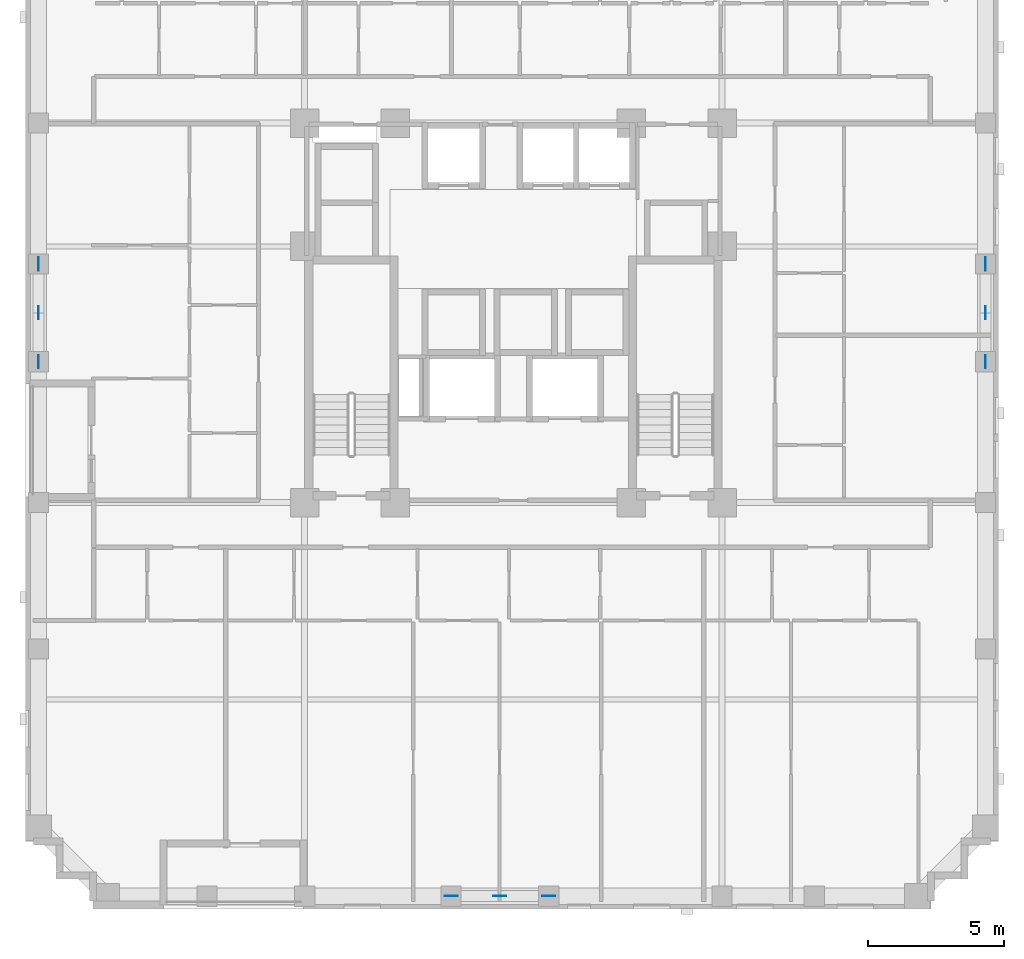
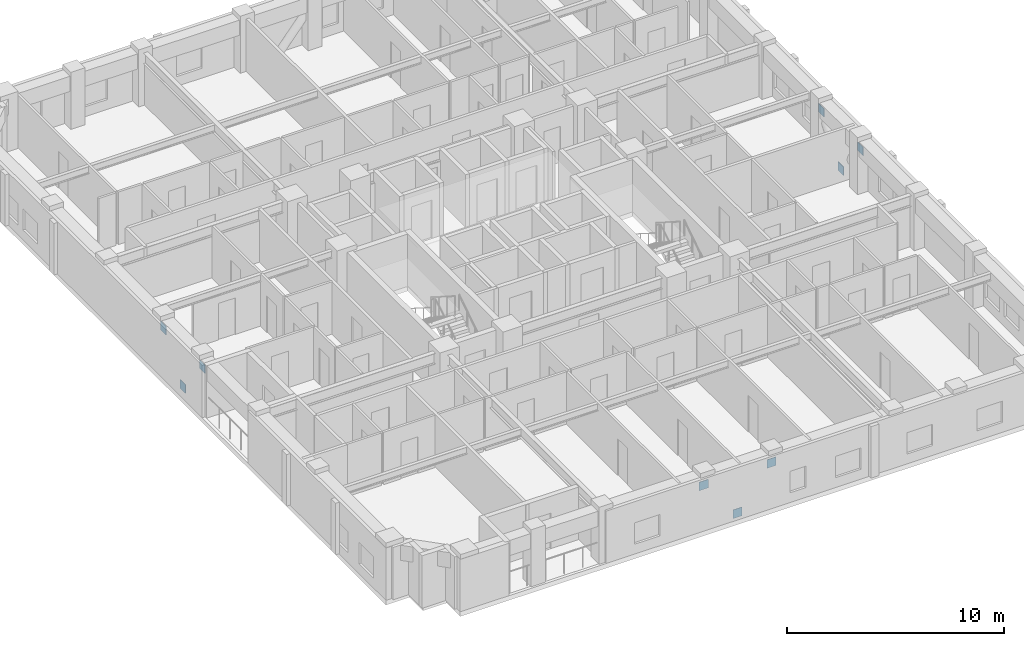
# One storey, part 9 of 12: 9 discrete accessories.
"""IFC4 building model written with IfcOpenShell, lengths in metres."""

from ifc_helpers import new_model, si_unit, derived_unit, direction, frame, origin, origin_2d, place, context, subcontext, project, spatial, rectangle, extrude, material, layer, layer_set, type_object, element, save


model = new_model("IFC4")

# Units and contexts
model_context = context("Model", 3, precision=1e-05, world=origin(), true_north=direction((0.0, 1.0)))
body_context = subcontext(model_context, "Body", "Model", "MODEL_VIEW")
ifc_project = project(units=[si_unit("LENGTHUNIT", "METRE"), si_unit("AREAUNIT", "SQUARE_METRE"), si_unit("VOLUMEUNIT", "CUBIC_METRE"), si_unit("PLANEANGLEUNIT", "RADIAN"), si_unit("MASSUNIT", "GRAM", prefix="KILO"), derived_unit("THERMALTRANSMITTANCEUNIT", [(si_unit("MASSUNIT", "GRAM", prefix="KILO"), 1), (si_unit("TIMEUNIT", "SECOND"), -3), (si_unit("THERMODYNAMICTEMPERATUREUNIT", "KELVIN"), -1)])], contexts=[model_context])

# Site, building, storey
site_placement = place(None, origin())
site = spatial("IfcSite", under=ifc_project, at=site_placement, CompositionType="ELEMENT")
building_placement = place(site_placement, origin())
building = spatial("IfcBuilding", under=site, at=building_placement, Name="Korrvale Station Residences", CompositionType="ELEMENT")
storey_placement = place(building_placement, frame((0.0, 0.0, 103.89990234375)))
storey = spatial("IfcBuildingStorey", under=building, at=storey_placement, Name="L29", CompositionType="ELEMENT", Elevation=103.89990234375)

# Discrete accessories
ifc_material = material(Name="Steel S355", Category="steel")
ifc_layer = layer(ifc_material, 0.02490234375, Name="Steel S355")
ifc_layer_set = layer_set([ifc_layer], Name="Steel S355")
discrete_accessory_type = type_object("IfcDiscreteAccessoryType", Name="ACC-GUSSET-25", PredefinedType="BRACKET", material=ifc_layer_set)
for number, where, z_axis, x_axis, name in (
    (1, (25.0, 0.47998046875, -0.219970703125), (0.0, 0.0, 1.0), (1.0, 0.0, 0.0), "L29 S Brace End Gusset Connection M"),
    (2, (23.199951171875, 0.47998046875, 1.97021484375), (0.0, 0.0, 1.0), (1.0, 0.0, 0.0), "L29 S Brace End Gusset Connection A"),
    (3, (26.800048828125, 0.47998046875, 1.97021484375), (0.0, 0.0, 1.0), (1.0, 0.0, 0.0), "L29 S Brace End Gusset Connection B"),
    (4, (7.97998046875, 22.0, -0.219970703125), (0.0, 0.0, 1.0), (0.0, 1.0, 0.0), "L29 W Brace End Gusset Connection M"),
    (5, (7.97998046875, 20.199951171875, 1.97021484375), (0.0, 0.0, 1.0), (0.0, 1.0, 0.0), "L29 W Brace End Gusset Connection A"),
    (6, (7.97998046875, 23.800048828125, 1.97021484375), (0.0, 0.0, 1.0), (0.0, 1.0, 0.0), "L29 W Brace End Gusset Connection B"),
    (7, (42.919921875, 22.0, -0.219970703125), (0.0, 0.0, 1.0), (0.0, 1.0, 0.0), "L29 E Brace End Gusset Connection M"),
    (8, (42.919921875, 20.199951171875, 1.97021484375), (0.0, 0.0, 1.0), (0.0, 1.0, 0.0), "L29 E Brace End Gusset Connection A"),
    (9, (42.919921875, 23.800048828125, 1.97021484375), (0.0, 0.0, 1.0), (0.0, 1.0, 0.0), "L29 E Brace End Gusset Connection B"),
):
    element("IfcDiscreteAccessory", number, at=place(storey_placement, frame(where, z_axis=z_axis, x_axis=x_axis)), inside=storey, type_object=discrete_accessory_type, Name=name, PredefinedType="BRACKET", context=body_context, shape_type="SweptSolid", body=[
        extrude(rectangle(XDim=0.47998046875, YDim=0.02490234375, at=origin_2d()), origin(), (0.0, 0.0, 1.0), 0.47998046875),
    ])

save(model, "model.ifc")
